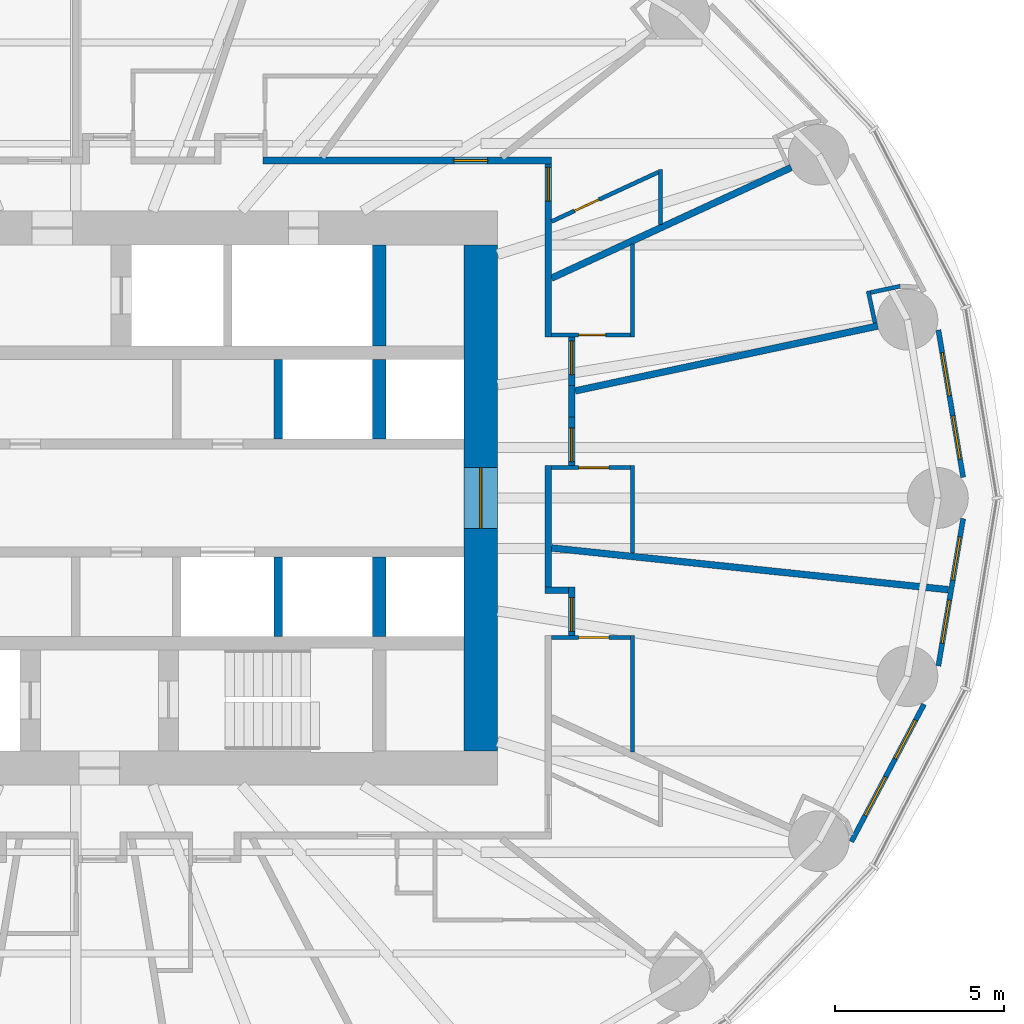
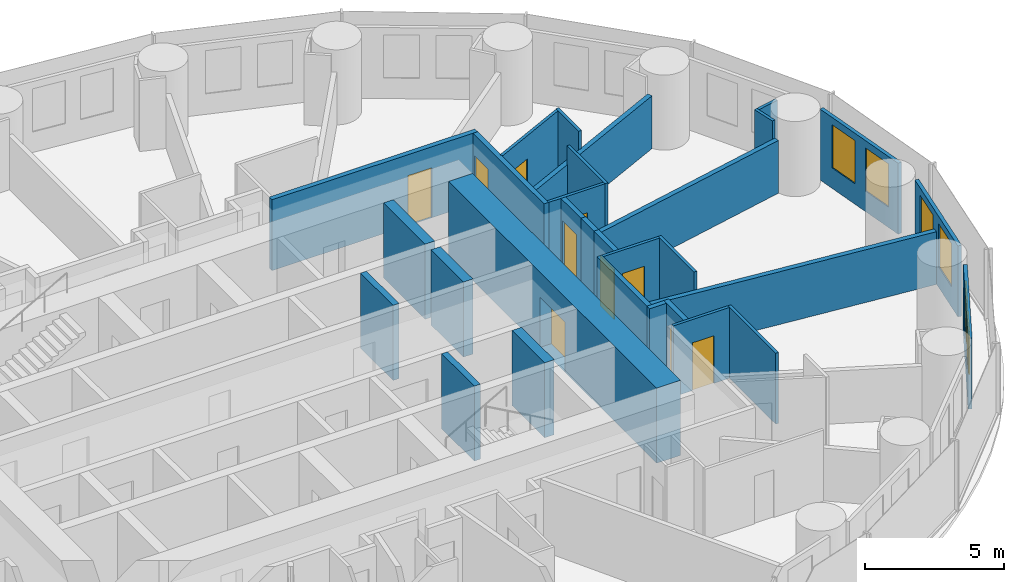
# One storey, part 10 of 14: 30 walls, 10 doors, 6 windows, 16 openings.
"""IFC4 building model written with IfcOpenShell, lengths in metres."""

import ifcopenshell
import ifcopenshell.guid

model = None  # the IFC model being written
_history = None  # IfcOwnerHistory: only IFC2X3 demands one
_inside = {}  # id of a spatial element -> (the spatial element, [elements in it])
_under = {}  # id of a project, library or spatial element -> (it, [spatial elements below it])
_declared = {}  # id of a project -> (the project, [libraries it declares])
_typed = {}  # id of a type object -> (the type object, [elements of that type])
_made_of = {}  # id of a material, layer set ... -> (it, [elements and type objects made of it])


def new_model(schema):
    """Start an empty IFC model of exactly this schema.

    Asked for "IFC4X3", IfcOpenShell would pick the latest addendum, in which some entities
    have other attributes; the version numbers below select the first issue.
    IFC2X3 requires an IfcOwnerHistory on every rooted entity: one is made here for all.
    """
    global model, _history
    if schema == "IFC4X3":
        model = ifcopenshell.file(schema_version=(4, 3, 0, 0))
    else:
        model = ifcopenshell.file(schema=schema)
    _inside.clear()
    _under.clear()
    _declared.clear()
    _typed.clear()
    _made_of.clear()
    _history = None
    if model.schema == "IFC2X3":
        org = make("IfcOrganization", Name="unknown")
        user = make(
            "IfcPersonAndOrganization",
            ThePerson=make("IfcPerson", FamilyName="unknown"),
            TheOrganization=org,
        )
        app = make(
            "IfcApplication",
            ApplicationDeveloper=org,
            Version="unknown",
            ApplicationFullName="unknown",
            ApplicationIdentifier="unknown",
        )
        _history = make(
            "IfcOwnerHistory",
            OwningUser=user,
            OwningApplication=app,
            ChangeAction="ADDED",
            CreationDate=0,
        )
    return model


def make(cls, **values):
    """One entity of the class cls with the attributes given. An attribute that is None is left unset."""
    return model.create_entity(
        cls, **{name: value for name, value in values.items() if value is not None}
    )


def rooted(cls, **values):
    """An entity with a GlobalId (a new one), such as an element, a storey or a relation."""
    return make(cls, GlobalId=ifcopenshell.guid.new(), OwnerHistory=_history, **values)


def si_unit(unit_type, name, prefix=None):
    """IfcSIUnit, for example si_unit("LENGTHUNIT", "METRE", prefix="MILLI")."""
    return make("IfcSIUnit", UnitType=unit_type, Prefix=prefix, Name=name)


def assignment(units):
    """IfcUnitAssignment: the units of a project."""
    return None if units is None else make("IfcUnitAssignment", Units=units)


def point(xyz):
    """IfcCartesianPoint."""
    return None if xyz is None else make("IfcCartesianPoint", Coordinates=xyz)


def direction(xyz):
    """IfcDirection."""
    return None if xyz is None else make("IfcDirection", DirectionRatios=xyz)


def frame(location, z_axis=None, x_axis=None):
    """IfcAxis2Placement3D, a coordinate frame: its origin and axes. An axis left out is left unset."""
    return make(
        "IfcAxis2Placement3D",
        Location=point(location),
        Axis=direction(z_axis),
        RefDirection=direction(x_axis),
    )


def frame_2d(location, x_axis=None):
    """IfcAxis2Placement2D, a coordinate frame in the plane: its origin and x axis."""
    return make(
        "IfcAxis2Placement2D", Location=point(location), RefDirection=direction(x_axis)
    )


def origin():
    """The frame at (0, 0, 0) with its axes left unset."""
    return frame((0.0, 0.0, 0.0))


def place(relative_to, where):
    """IfcLocalPlacement: puts the frame where relative to a parent placement (None: the world)."""
    return make(
        "IfcLocalPlacement", PlacementRelTo=relative_to, RelativePlacement=where
    )


def context(
    kind, dimensions, precision=None, world=None, true_north=None, identifier=None
):
    """IfcGeometricRepresentationContext, for example the 3D "Model" context."""
    return make(
        "IfcGeometricRepresentationContext",
        ContextIdentifier=identifier,
        ContextType=kind,
        CoordinateSpaceDimension=dimensions,
        Precision=precision,
        WorldCoordinateSystem=world,
        TrueNorth=true_north,
    )


def subcontext(parent, identifier, kind, view, scale=None):
    """IfcGeometricRepresentationSubContext, for example "Body" below "Model"."""
    return make(
        "IfcGeometricRepresentationSubContext",
        ContextIdentifier=identifier,
        ContextType=kind,
        ParentContext=parent,
        TargetScale=scale,
        TargetView=view,
    )


def project(units=None, contexts=None):
    """IfcProject with its units and contexts."""
    return rooted(
        "IfcProject",
        Name="project",
        RepresentationContexts=contexts,
        UnitsInContext=assignment(units),
    )


def spatial(cls, under=None, at=None, **own):
    """A site, building, storey or space (cls), placed at a placement, below another one or the project."""
    s = rooted(cls, ObjectPlacement=at, **own)
    if under is not None:
        _under.setdefault(under.id(), (under, []))[1].append(s)
    return s


def profile(cls, at=None, kind="AREA", **sizes):
    """A parametric profile (cls). Its sizes go by their IFC names, for example OverallWidth=200.0."""
    return make(cls, ProfileType=kind, Position=at, **sizes)


def rectangle(**sizes):
    """IfcRectangleProfileDef."""
    return profile("IfcRectangleProfileDef", **sizes)


def extrude(swept, where, along, depth):
    """IfcExtrudedAreaSolid: the profile swept, set in the frame where, extruded along a direction by depth."""
    return make(
        "IfcExtrudedAreaSolid",
        SweptArea=swept,
        Position=where,
        ExtrudedDirection=direction(along),
        Depth=depth,
    )


def shape(context_of_items, identifier, shape_type, items):
    """IfcShapeRepresentation: the items that make up one representation, for example the "Body"."""
    return make(
        "IfcShapeRepresentation",
        ContextOfItems=context_of_items,
        RepresentationIdentifier=identifier,
        RepresentationType=shape_type,
        Items=items,
    )


def material(Name=None, Category=None):
    """IfcMaterial."""
    return make("IfcMaterial", Name=Name, Category=Category)


def layer(
    of_material, thickness, ventilated=None, Name=None, Category=None, Priority=None
):
    """IfcMaterialLayer: one layer of a wall or slab, of a material (None: an air gap)."""
    return make(
        "IfcMaterialLayer",
        Material=of_material,
        LayerThickness=thickness,
        IsVentilated=ventilated,
        Name=Name,
        Category=Category,
        Priority=Priority,
    )


def layer_set(layers, Name=None):
    """IfcMaterialLayerSet."""
    return make("IfcMaterialLayerSet", MaterialLayers=layers, LayerSetName=Name)


def made_of(thing, what):
    """Note that an element or type object is made of a material, layer set ...; save() writes the relation."""
    if what is not None:
        _made_of.setdefault(what.id(), (what, []))[1].append(thing)
    return thing


def type_object(cls, material=None, **own):
    """A type object (cls), such as IfcWallType, which elements share."""
    return made_of(rooted(cls, **own), material)


def element(
    cls,
    number,
    at=None,
    inside=None,
    cuts=None,
    type_object=None,
    material=None,
    context=None,
    identifier="Body",
    shape_type=None,
    held_by="IfcProductDefinitionShape",
    body=None,
    shapes=None,
    **own,
):
    """One element of the class cls, such as IfcWall. Its Tag is "e" and its number.

    at: its placement. inside: the storey or other place that contains it. cuts: it is an
    opening in that element (IfcRelVoidsElement). A single representation is given by context,
    identifier, shape_type and body (its items); several are given by shapes. held_by: the class
    of the entity that holds the representations. save() writes the other relations.
    """
    e = rooted(cls, Tag="e%d" % number, ObjectPlacement=at, **own)
    if body is not None:
        shapes = [shape(context, identifier, shape_type, body)]
    if shapes is not None:
        e.Representation = make(held_by, Representations=shapes)
    if inside is not None:
        _inside.setdefault(inside.id(), (inside, []))[1].append(e)
    if cuts is not None:
        rooted(
            "IfcRelVoidsElement", RelatingBuildingElement=cuts, RelatedOpeningElement=e
        )
    if type_object is not None:
        _typed.setdefault(type_object.id(), (type_object, []))[1].append(e)
    return made_of(e, material)


def fill(opening, filler):
    """IfcRelFillsElement: the door or window that sits in an opening."""
    return rooted(
        "IfcRelFillsElement",
        RelatingOpeningElement=opening,
        RelatedBuildingElement=filler,
    )


def aggregate(whole, parts):
    """IfcRelAggregates: a whole, such as a stair, and the parts it consists of."""
    return rooted("IfcRelAggregates", RelatingObject=whole, RelatedObjects=parts)


def save(model, path):
    """Write the relations noted so far, then the file.

    IfcRelAggregates (storeys below a building ...), IfcRelContainedInSpatialStructure (elements
    in a storey), IfcRelDefinesByType, IfcRelAssociatesMaterial and IfcRelDeclares: one each for
    every whole, place, type object, material and project.
    """
    for whole, parts in _under.values():
        aggregate(whole, parts)
    for where, things in _inside.values():
        rooted(
            "IfcRelContainedInSpatialStructure",
            RelatedElements=things,
            RelatingStructure=where,
        )
    for kind, things in _typed.values():
        rooted("IfcRelDefinesByType", RelatedObjects=things, RelatingType=kind)
    for what, things in _made_of.values():
        rooted("IfcRelAssociatesMaterial", RelatedObjects=things, RelatingMaterial=what)
    for by, libraries in _declared.values():
        rooted("IfcRelDeclares", RelatingContext=by, RelatedDefinitions=libraries)
    model.write(path)


model = new_model("IFC4")

# Units and contexts
model_context = context("Model", 3, precision=1e-05, world=origin(), true_north=direction((0.0, 1.0)))
body_context = subcontext(model_context, "Body", "Model", "MODEL_VIEW")
ifc_project = project(units=[si_unit("LENGTHUNIT", "METRE"), si_unit("AREAUNIT", "SQUARE_METRE"), si_unit("VOLUMEUNIT", "CUBIC_METRE"), si_unit("PLANEANGLEUNIT", "RADIAN"), si_unit("MASSUNIT", "GRAM", prefix="KILO")], contexts=[model_context])

# Site, building, storey
site_placement = place(None, origin())
site = spatial("IfcSite", under=ifc_project, at=site_placement, CompositionType="ELEMENT")
building_placement = place(site_placement, origin())
building = spatial("IfcBuilding", under=site, at=building_placement, Name="Hankou Lantern Tower", CompositionType="ELEMENT")
storey_placement = place(building_placement, frame((0.0, 0.0, 32.699951171875)))
storey = spatial("IfcBuildingStorey", under=building, at=storey_placement, Name="L06", CompositionType="ELEMENT", Elevation=32.699951171875)

# Wall, opening, door
ifc_material_1 = material(Name="Concrete C60", Category="concrete")
ifc_layer_1 = layer(ifc_material_1, 1.0)
ifc_layer_set_1 = layer_set([ifc_layer_1], Name="Concrete C60")
wall_type_1 = type_object("IfcWallType", Name="CW1 CORE WALL 1000", PredefinedType="SHEAR", material=ifc_layer_set_1)
wall_1_placement = place(storey_placement, frame((12.0, -7.5, 0.0), z_axis=(0.0, 0.0, 1.0), x_axis=(0.0, 1.0, 0.0)))
wall_1 = element("IfcWall", 1, at=wall_1_placement, inside=storey, type_object=wall_type_1, Name="Core wall east L06", PredefinedType="SHEAR", context=body_context, shape_type="SweptSolid", body=[
    extrude(rectangle(XDim=15.0, YDim=1.0, at=frame_2d((7.5, 0.0))), origin(), (0.0, 0.0, 1.0), 3.300048828125),
])
opening_1_placement = place(wall_1_placement, frame((6.60009765625, 0.0, 0.0)))
opening_1 = element("IfcOpeningElement", 2, at=opening_1_placement, cuts=wall_1, Name="Opening D6", PredefinedType="OPENING", context=body_context, shape_type="SweptSolid", body=[
    extrude(rectangle(XDim=1.800048828125, YDim=2.199951171875, at=frame_2d((0.89990234375, 1.10009765625))), frame((0.0, 0.510009765625, 0.0), z_axis=(0.0, -1.0, 0.0), x_axis=(1.0, 0.0, 0.0)), (0.0, 0.0, 1.0), 1.02001953125),
])
ifc_material_2 = material(Name="Steel door leaf", Category="steel")
door_type_1 = type_object("IfcDoorType", Name="D6 LIFT LOBBY DOOR 1800X2200", OperationType="DOUBLE_DOOR_DOUBLE_SWING", PredefinedType="DOOR", material=ifc_material_2)
door_1_placement = place(opening_1_placement, origin())
door_1 = element("IfcDoor", 3, at=door_1_placement, inside=storey, type_object=door_type_1, Name="Lift lobby east door", OperationType="DOUBLE_DOOR_DOUBLE_SWING", OverallHeight=2.199951171875, OverallWidth=1.800048828125, PredefinedType="DOOR", context=body_context, shape_type="SweptSolid", body=[
    extrude(rectangle(XDim=1.800048828125, YDim=2.199951171875, at=frame_2d((0.89990234375, 1.10009765625))), frame((0.0, 0.02490234375, 0.0), z_axis=(0.0, -1.0, 0.0), x_axis=(1.0, 0.0, 0.0)), (0.0, 0.0, 1.0), 0.050048828125),
])
fill(opening_1, door_1)

# Walls
ifc_material_3 = material(Name="Concrete C60", Category="concrete")
ifc_layer_2 = layer(ifc_material_3, 0.39990234375)
ifc_layer_set_2 = layer_set([ifc_layer_2], Name="Concrete C60")
wall_type_2 = type_object("IfcWallType", Name="CW4 CORE CROSS WALL 400", PredefinedType="SHEAR", material=ifc_layer_set_2)
wall_2_placement = place(storey_placement, frame((9.0, 4.5, 0.0), z_axis=(0.0, 0.0, 1.0), x_axis=(0.0, 1.0, 0.0)))
element("IfcWall", 4, at=wall_2_placement, inside=storey, type_object=wall_type_2, Name="Core strip wall L06", PredefinedType="SHEAR", context=body_context, shape_type="SweptSolid", body=[
    extrude(rectangle(XDim=3.0, YDim=0.39990234375, at=frame_2d((1.5, 0.0))), origin(), (0.0, 0.0, 1.0), 3.300048828125),
])
for number, where, z_axis, x_axis, name in (
    (5, (9.0, 1.75, 0.0), (0.0, 0.0, 1.0), (0.0, 1.0, 0.0), "Core strip wall L06"),
    (6, (9.0, -4.10009765625, 0.0), (0.0, 0.0, 1.0), (0.0, 1.0, 0.0), "Core strip wall L06"),
):
    element("IfcWall", number, at=place(storey_placement, frame(where, z_axis=z_axis, x_axis=x_axis)), inside=storey, type_object=wall_type_2, Name=name, PredefinedType="SHEAR", context=body_context, shape_type="SweptSolid", body=[
        extrude(rectangle(XDim=2.35009765625, YDim=0.39990234375, at=frame_2d((1.175048828125, 0.0))), origin(), (0.0, 0.0, 1.0), 3.300048828125),
    ])

# Wall, openings, windows
ifc_material_4 = material(Name="Aluminium spandrel panel on steel studs", Category="steel")
ifc_layer_3 = layer(ifc_material_4, 0.14990234375)
ifc_layer_set_3 = layer_set([ifc_layer_3], Name="Aluminium spandrel panel on steel studs")
wall_type_3 = type_object("IfcWallType", Name="EW1 INNER SKIN WALL 150", PredefinedType="ELEMENTEDWALL", material=ifc_layer_set_3)
wall_3_placement = place(storey_placement, frame((26.29736328125, 0.611083984375, 0.0), z_axis=(0.0, 0.0, 1.0), x_axis=(-0.165641751141, 0.986185991727, 0.0)))
wall_3 = element("IfcWall", 7, at=wall_3_placement, inside=storey, type_object=wall_type_3, Name="Inner skin R01-R02 L06", PredefinedType="ELEMENTEDWALL", context=body_context, shape_type="SweptSolid", body=[
    extrude(rectangle(XDim=4.427734375, YDim=0.14990234375, at=frame_2d((2.2138671875, 0.0))), origin(), (0.0, 0.0, 1.0), 3.1201171875),
])
opening_2_placement = place(wall_3_placement, frame((0.5498046875, 0.0, 0.89990234375)))
opening_2 = element("IfcOpeningElement", 8, at=opening_2_placement, cuts=wall_3, Name="Opening W9", PredefinedType="OPENING", context=body_context, shape_type="SweptSolid", body=[
    extrude(rectangle(XDim=1.300048828125, YDim=1.89990234375, at=frame_2d((0.64990234375, 0.949951171875))), frame((0.0, 0.0849609375, 0.0), z_axis=(0.0, -1.0, 0.0), x_axis=(1.0, 0.0, 0.0)), (0.0, 0.0, 1.0), 0.169921875),
])
opening_3_placement = place(wall_3_placement, frame((2.44970703125, 0.0, 0.89990234375)))
opening_3 = element("IfcOpeningElement", 9, at=opening_3_placement, cuts=wall_3, Name="Opening W9", PredefinedType="OPENING", context=body_context, shape_type="SweptSolid", body=[
    extrude(rectangle(XDim=1.300048828125, YDim=1.89990234375, at=frame_2d((0.64990234375, 0.949951171875))), frame((0.0, 0.0849609375, 0.0), z_axis=(0.0, -1.0, 0.0), x_axis=(1.0, 0.0, 0.0)), (0.0, 0.0, 1.0), 0.169921875),
])
ifc_material_5 = material(Name="Aluminium framed double glazed window", Category="aluminium")
window_type = type_object("IfcWindowType", Name="W9 GUEST ROOM WINDOW 1300X1900", PartitioningType="DOUBLE_PANEL_VERTICAL", PredefinedType="WINDOW", material=ifc_material_5)
window_1_placement = place(opening_2_placement, origin())
window_1 = element("IfcWindow", 10, at=window_1_placement, inside=storey, type_object=window_type, Name="Window R01.1 L06", OverallHeight=1.89990234375, OverallWidth=1.300048828125, PartitioningType="SINGLE_PANEL", PredefinedType="WINDOW", context=body_context, shape_type="SweptSolid", body=[
    extrude(rectangle(XDim=1.300048828125, YDim=1.89990234375, at=frame_2d((0.64990234375, 0.949951171875))), frame((0.0, 0.030029296875, 0.0), z_axis=(0.0, -1.0, 0.0), x_axis=(1.0, 0.0, 0.0)), (0.0, 0.0, 1.0), 0.06005859375),
])
fill(opening_2, window_1)
window_2_placement = place(opening_3_placement, origin())
window_2 = element("IfcWindow", 11, at=window_2_placement, inside=storey, type_object=window_type, Name="Window R01.2 L06", OverallHeight=1.89990234375, OverallWidth=1.300048828125, PartitioningType="SINGLE_PANEL", PredefinedType="WINDOW", context=body_context, shape_type="SweptSolid", body=[
    extrude(rectangle(XDim=1.300048828125, YDim=1.89990234375, at=frame_2d((0.64990234375, 0.949951171875))), frame((0.0, 0.030029296875, 0.0), z_axis=(0.0, -1.0, 0.0), x_axis=(1.0, 0.0, 0.0)), (0.0, 0.0, 1.0), 0.06005859375),
])
fill(opening_3, window_2)

wall_4_placement = place(storey_placement, frame((22.986083984375, -10.185302734375, 0.0), z_axis=(0.0, 0.0, 1.0), x_axis=(0.467303182954, 0.884097129959, 0.0)))
wall_4 = element("IfcWall", 12, at=wall_4_placement, inside=storey, type_object=wall_type_3, Name="Inner skin R23-R24 L06", PredefinedType="ELEMENTEDWALL", context=body_context, shape_type="SweptSolid", body=[
    extrude(rectangle(XDim=4.6064453125, YDim=0.14990234375, at=frame_2d((2.30322265625, 0.0))), origin(), (0.0, 0.0, 1.0), 3.1201171875),
])
opening_4_placement = place(wall_4_placement, frame((0.874755859375, 0.0, 0.89990234375)))
opening_4 = element("IfcOpeningElement", 13, at=opening_4_placement, cuts=wall_4, Name="Opening W9", PredefinedType="OPENING", context=body_context, shape_type="SweptSolid", body=[
    extrude(rectangle(XDim=1.300048828125, YDim=1.89990234375, at=frame_2d((0.64990234375, 0.949951171875))), frame((0.0, 0.0849609375, 0.0), z_axis=(0.0, -1.0, 0.0), x_axis=(1.0, 0.0, 0.0)), (0.0, 0.0, 1.0), 0.169921875),
])
opening_5_placement = place(wall_4_placement, frame((2.77490234375, 0.0, 0.89990234375)))
opening_5 = element("IfcOpeningElement", 14, at=opening_5_placement, cuts=wall_4, Name="Opening W9", PredefinedType="OPENING", context=body_context, shape_type="SweptSolid", body=[
    extrude(rectangle(XDim=1.300048828125, YDim=1.89990234375, at=frame_2d((0.64990234375, 0.949951171875))), frame((0.0, 0.0849609375, 0.0), z_axis=(0.0, -1.0, 0.0), x_axis=(1.0, 0.0, 0.0)), (0.0, 0.0, 1.0), 0.169921875),
])
window_3_placement = place(opening_4_placement, origin())
window_3 = element("IfcWindow", 15, at=window_3_placement, inside=storey, type_object=window_type, Name="Window R23.1 L06", OverallHeight=1.89990234375, OverallWidth=1.300048828125, PartitioningType="SINGLE_PANEL", PredefinedType="WINDOW", context=body_context, shape_type="SweptSolid", body=[
    extrude(rectangle(XDim=1.300048828125, YDim=1.89990234375, at=frame_2d((0.64990234375, 0.949951171875))), frame((0.0, 0.030029296875, 0.0), z_axis=(0.0, -1.0, 0.0), x_axis=(1.0, 0.0, 0.0)), (0.0, 0.0, 1.0), 0.06005859375),
])
fill(opening_4, window_3)
window_4_placement = place(opening_5_placement, origin())
window_4 = element("IfcWindow", 16, at=window_4_placement, inside=storey, type_object=window_type, Name="Window R23.2 L06", OverallHeight=1.89990234375, OverallWidth=1.300048828125, PartitioningType="SINGLE_PANEL", PredefinedType="WINDOW", context=body_context, shape_type="SweptSolid", body=[
    extrude(rectangle(XDim=1.300048828125, YDim=1.89990234375, at=frame_2d((0.64990234375, 0.949951171875))), frame((0.0, 0.030029296875, 0.0), z_axis=(0.0, -1.0, 0.0), x_axis=(1.0, 0.0, 0.0)), (0.0, 0.0, 1.0), 0.06005859375),
])
fill(opening_5, window_4)

wall_5_placement = place(storey_placement, frame((25.56396484375, -4.9775390625, 0.0), z_axis=(0.0, 0.0, 1.0), x_axis=(0.165641751141, 0.986185991727, 0.0)))
wall_5 = element("IfcWall", 17, at=wall_5_placement, inside=storey, type_object=wall_type_3, Name="Inner skin R24-R01 L06", PredefinedType="ELEMENTEDWALL", context=body_context, shape_type="SweptSolid", body=[
    extrude(rectangle(XDim=4.427734375, YDim=0.14990234375, at=frame_2d((2.2138671875, 0.0))), origin(), (0.0, 0.0, 1.0), 3.1201171875),
])
opening_6_placement = place(wall_5_placement, frame((0.677734375, 0.0, 0.89990234375)))
opening_6 = element("IfcOpeningElement", 18, at=opening_6_placement, cuts=wall_5, Name="Opening W9", PredefinedType="OPENING", context=body_context, shape_type="SweptSolid", body=[
    extrude(rectangle(XDim=1.300048828125, YDim=1.89990234375, at=frame_2d((0.64990234375, 0.949951171875))), frame((0.0, 0.0849609375, 0.0), z_axis=(0.0, -1.0, 0.0), x_axis=(1.0, 0.0, 0.0)), (0.0, 0.0, 1.0), 0.169921875),
])
opening_7_placement = place(wall_5_placement, frame((2.57763671875, 0.0, 0.89990234375)))
opening_7 = element("IfcOpeningElement", 19, at=opening_7_placement, cuts=wall_5, Name="Opening W9", PredefinedType="OPENING", context=body_context, shape_type="SweptSolid", body=[
    extrude(rectangle(XDim=1.300048828125, YDim=1.89990234375, at=frame_2d((0.64990234375, 0.949951171875))), frame((0.0, 0.0849609375, 0.0), z_axis=(0.0, -1.0, 0.0), x_axis=(1.0, 0.0, 0.0)), (0.0, 0.0, 1.0), 0.169921875),
])
window_5_placement = place(opening_6_placement, origin())
window_5 = element("IfcWindow", 20, at=window_5_placement, inside=storey, type_object=window_type, Name="Window R24.1 L06", OverallHeight=1.89990234375, OverallWidth=1.300048828125, PartitioningType="SINGLE_PANEL", PredefinedType="WINDOW", context=body_context, shape_type="SweptSolid", body=[
    extrude(rectangle(XDim=1.300048828125, YDim=1.89990234375, at=frame_2d((0.64990234375, 0.949951171875))), frame((0.0, 0.030029296875, 0.0), z_axis=(0.0, -1.0, 0.0), x_axis=(1.0, 0.0, 0.0)), (0.0, 0.0, 1.0), 0.06005859375),
])
fill(opening_6, window_5)
window_6_placement = place(opening_7_placement, origin())
window_6 = element("IfcWindow", 21, at=window_6_placement, inside=storey, type_object=window_type, Name="Window R24.2 L06", OverallHeight=1.89990234375, OverallWidth=1.300048828125, PartitioningType="SINGLE_PANEL", PredefinedType="WINDOW", context=body_context, shape_type="SweptSolid", body=[
    extrude(rectangle(XDim=1.300048828125, YDim=1.89990234375, at=frame_2d((0.64990234375, 0.949951171875))), frame((0.0, 0.030029296875, 0.0), z_axis=(0.0, -1.0, 0.0), x_axis=(1.0, 0.0, 0.0)), (0.0, 0.0, 1.0), 0.06005859375),
])
fill(opening_7, window_6)

# Walls
ifc_material_6 = material(Name="Masonry lightweight concrete block", Category="masonry")
ifc_layer_4 = layer(ifc_material_6, 0.199951171875)
ifc_layer_set_4 = layer_set([ifc_layer_4], Name="Masonry lightweight concrete block")
wall_type_4 = type_object("IfcWallType", Name="IW1 GUEST ROOM PARTY WALL 200", PredefinedType="PARTITIONING", material=ifc_layer_set_4)
wall_6_placement = place(storey_placement, frame((14.800048828125, 3.172607421875, 0.0), z_axis=(0.0, 0.0, 1.0), x_axis=(0.977788776497, 0.209592720667, 0.0)))
element("IfcWall", 22, at=wall_6_placement, inside=storey, type_object=wall_type_4, Name="Party wall R02", PredefinedType="PARTITIONING", context=body_context, shape_type="SweptSolid", body=[
    extrude(rectangle(XDim=9.170654296875, YDim=0.199951171875, at=frame_2d((4.58544921875, 0.0))), origin(), (0.0, 0.0, 1.0), 2.320068359375),
])
wall_7_placement = place(storey_placement, frame((14.10009765625, 6.512451171875, 0.0), z_axis=(0.0, 0.0, 1.0), x_axis=(0.907842433118, 0.41931147925, 0.0)))
element("IfcWall", 23, at=wall_7_placement, inside=storey, type_object=wall_type_4, Name="Party wall R03", PredefinedType="PARTITIONING", context=body_context, shape_type="SweptSolid", body=[
    extrude(rectangle(XDim=7.822998046875, YDim=0.199951171875, at=frame_2d((3.91162109375, 0.0))), origin(), (0.0, 0.0, 1.0), 2.320068359375),
])
wall_8_placement = place(storey_placement, frame((14.10009765625, -1.48193359375, 0.0), z_axis=(0.0, 0.0, 1.0), x_axis=(0.994522076235, -0.104526742422, 0.0)))
element("IfcWall", 24, at=wall_8_placement, inside=storey, type_object=wall_type_4, Name="Party wall R24-R01", PredefinedType="PARTITIONING", context=body_context, shape_type="SweptSolid", body=[
    extrude(rectangle(XDim=11.82080078125, YDim=0.199951171875, at=frame_2d((5.910400390625, 0.0))), origin(), (0.0, 0.0, 1.0), 2.320068359375),
])

# Wall, opening, door
ifc_material_7 = material(Name="Masonry lightweight concrete block", Category="masonry")
ifc_layer_5 = layer(ifc_material_7, 0.199951171875)
ifc_layer_set_5 = layer_set([ifc_layer_5], Name="Masonry lightweight concrete block")
wall_type_5 = type_object("IfcWallType", Name="IW2 CORRIDOR WALL 200", PredefinedType="PARTITIONING", material=ifc_layer_set_5)
wall_9_placement = place(storey_placement, frame((14.699951171875, -4.072509765625, 0.0), z_axis=(0.0, 0.0, 1.0), x_axis=(0.0, 1.0, 0.0)))
wall_9 = element("IfcWall", 25, at=wall_9_placement, inside=storey, type_object=wall_type_5, Name="Corridor recess wall 0602 back", PredefinedType="PARTITIONING", context=body_context, shape_type="SweptSolid", body=[
    extrude(rectangle(XDim=1.43994140625, YDim=0.199951171875, at=frame_2d((0.719970703125, 0.0))), origin(), (0.0, 0.0, 1.0), 3.1201171875),
])
opening_8_placement = place(wall_9_placement, frame((0.1201171875, 0.0, 0.0)))
opening_8 = element("IfcOpeningElement", 26, at=opening_8_placement, cuts=wall_9, Name="Opening D1", PredefinedType="OPENING", context=body_context, shape_type="SweptSolid", body=[
    extrude(rectangle(XDim=1.0, YDim=2.199951171875, at=frame_2d((0.5, 1.10009765625))), frame((0.0, 0.10986328125, 0.0), z_axis=(0.0, -1.0, 0.0), x_axis=(1.0, 0.0, 0.0)), (0.0, 0.0, 1.0), 0.219970703125),
])
ifc_material_8 = material(Name="Steel door leaf", Category="steel")
door_type_2 = type_object("IfcDoorType", Name="D1 GUEST ROOM DOOR 1000X2200", OperationType="SINGLE_SWING_LEFT", PredefinedType="DOOR", material=ifc_material_8)
door_2_placement = place(opening_8_placement, origin())
door_2 = element("IfcDoor", 27, at=door_2_placement, inside=storey, type_object=door_type_2, Name="Guest room door 0602", OperationType="SINGLE_SWING_LEFT", OverallHeight=2.199951171875, OverallWidth=1.0, PredefinedType="DOOR", context=body_context, shape_type="SweptSolid", body=[
    extrude(rectangle(XDim=1.0, YDim=2.199951171875, at=frame_2d((0.5, 1.10009765625))), frame((0.0, 0.02490234375, 0.0), z_axis=(0.0, -1.0, 0.0), x_axis=(1.0, 0.0, 0.0)), (0.0, 0.0, 1.0), 0.050048828125),
])
fill(opening_8, door_2)

# Wall
wall_10_placement = place(storey_placement, frame((13.89990234375, -2.732421875, 0.0), z_axis=(0.0, 0.0, 1.0), x_axis=(1.0, 0.0, 0.0)))
element("IfcWall", 28, at=wall_10_placement, inside=storey, type_object=wall_type_5, Name="Corridor recess wall 0602 side", PredefinedType="PARTITIONING", context=body_context, shape_type="SweptSolid", body=[
    extrude(rectangle(XDim=0.7001953125, YDim=0.199951171875, at=frame_2d((0.35009765625, 0.0))), origin(), (0.0, 0.0, 1.0), 3.1201171875),
])

# Wall, opening, door
wall_11_placement = place(storey_placement, frame((14.699951171875, 0.9580078125, 0.0), z_axis=(0.0, 0.0, 1.0), x_axis=(0.0, 1.0, 0.0)))
wall_11 = element("IfcWall", 29, at=wall_11_placement, inside=storey, type_object=wall_type_5, Name="Corridor recess wall 0603 back", PredefinedType="PARTITIONING", context=body_context, shape_type="SweptSolid", body=[
    extrude(rectangle(XDim=1.43994140625, YDim=0.199951171875, at=frame_2d((0.719970703125, 0.0))), origin(), (0.0, 0.0, 1.0), 3.1201171875),
])
opening_9_placement = place(wall_11_placement, frame((0.1201171875, 0.0, 0.0)))
opening_9 = element("IfcOpeningElement", 30, at=opening_9_placement, cuts=wall_11, Name="Opening D1", PredefinedType="OPENING", context=body_context, shape_type="SweptSolid", body=[
    extrude(rectangle(XDim=1.0, YDim=2.199951171875, at=frame_2d((0.5, 1.10009765625))), frame((0.0, 0.10986328125, 0.0), z_axis=(0.0, -1.0, 0.0), x_axis=(1.0, 0.0, 0.0)), (0.0, 0.0, 1.0), 0.219970703125),
])
door_3_placement = place(opening_9_placement, origin())
door_3 = element("IfcDoor", 31, at=door_3_placement, inside=storey, type_object=door_type_2, Name="Guest room door 0603", OperationType="SINGLE_SWING_LEFT", OverallHeight=2.199951171875, OverallWidth=1.0, PredefinedType="DOOR", context=body_context, shape_type="SweptSolid", body=[
    extrude(rectangle(XDim=1.0, YDim=2.199951171875, at=frame_2d((0.5, 1.10009765625))), frame((0.0, 0.02490234375, 0.0), z_axis=(0.0, -1.0, 0.0), x_axis=(1.0, 0.0, 0.0)), (0.0, 0.0, 1.0), 0.050048828125),
])
fill(opening_9, door_3)

wall_12_placement = place(storey_placement, frame((14.699951171875, 3.33251953125, 0.0), z_axis=(0.0, 0.0, 1.0), x_axis=(0.0, 1.0, 0.0)))
wall_12 = element("IfcWall", 32, at=wall_12_placement, inside=storey, type_object=wall_type_5, Name="Corridor recess wall 0604 back", PredefinedType="PARTITIONING", context=body_context, shape_type="SweptSolid", body=[
    extrude(rectangle(XDim=1.43994140625, YDim=0.199951171875, at=frame_2d((0.719970703125, 0.0))), origin(), (0.0, 0.0, 1.0), 3.1201171875),
])
opening_10_placement = place(wall_12_placement, frame((0.320068359375, 0.0, 0.0)))
opening_10 = element("IfcOpeningElement", 33, at=opening_10_placement, cuts=wall_12, Name="Opening D1", PredefinedType="OPENING", context=body_context, shape_type="SweptSolid", body=[
    extrude(rectangle(XDim=1.0, YDim=2.199951171875, at=frame_2d((0.5, 1.10009765625))), frame((0.0, 0.10986328125, 0.0), z_axis=(0.0, -1.0, 0.0), x_axis=(1.0, 0.0, 0.0)), (0.0, 0.0, 1.0), 0.219970703125),
])
door_4_placement = place(opening_10_placement, origin())
door_4 = element("IfcDoor", 34, at=door_4_placement, inside=storey, type_object=door_type_2, Name="Guest room door 0604", OperationType="SINGLE_SWING_RIGHT", OverallHeight=2.199951171875, OverallWidth=1.0, PredefinedType="DOOR", context=body_context, shape_type="SweptSolid", body=[
    extrude(rectangle(XDim=1.0, YDim=2.199951171875, at=frame_2d((0.5, 1.10009765625))), frame((0.0, 0.02490234375, 0.0), z_axis=(0.0, -1.0, 0.0), x_axis=(1.0, 0.0, 0.0)), (0.0, 0.0, 1.0), 0.050048828125),
])
fill(opening_10, door_4)

# Walls
wall_13_placement = place(storey_placement, frame((14.699951171875, 2.39794921875, 0.0), z_axis=(0.0, 0.0, 1.0), x_axis=(0.0, 1.0, 0.0)))
element("IfcWall", 35, at=wall_13_placement, inside=storey, type_object=wall_type_5, Name="Corridor recess wall 0603 and 0604 back", PredefinedType="PARTITIONING", context=body_context, shape_type="SweptSolid", body=[
    extrude(rectangle(XDim=0.9345703125, YDim=0.199951171875, at=frame_2d((0.46728515625, 0.0))), origin(), (0.0, 0.0, 1.0), 3.1201171875),
])
wall_14_placement = place(storey_placement, frame((14.0, -2.632568359375, 0.0), z_axis=(0.0, 0.0, 1.0), x_axis=(0.0, 1.0, 0.0)))
element("IfcWall", 36, at=wall_14_placement, inside=storey, type_object=wall_type_5, Name="Corridor wall east", PredefinedType="PARTITIONING", context=body_context, shape_type="SweptSolid", body=[
    extrude(rectangle(XDim=3.590576171875, YDim=0.199951171875, at=frame_2d((1.79541015625, 0.0))), origin(), (0.0, 0.0, 1.0), 3.1201171875),
])

# Wall, opening, door
wall_15_placement = place(storey_placement, frame((14.0, 4.7724609375, 0.0), z_axis=(0.0, 0.0, 1.0), x_axis=(0.0, 1.0, 0.0)))
wall_15 = element("IfcWall", 37, at=wall_15_placement, inside=storey, type_object=wall_type_5, Name="Corridor wall east", PredefinedType="PARTITIONING", context=body_context, shape_type="SweptSolid", body=[
    extrude(rectangle(XDim=5.12744140625, YDim=0.199951171875, at=frame_2d((2.563720703125, 0.0))), origin(), (0.0, 0.0, 1.0), 3.1201171875),
])
opening_11_placement = place(wall_15_placement, frame((4.02490234375, 0.0, 0.0)))
opening_11 = element("IfcOpeningElement", 38, at=opening_11_placement, cuts=wall_15, Name="Opening D1", PredefinedType="OPENING", context=body_context, shape_type="SweptSolid", body=[
    extrude(rectangle(XDim=1.0, YDim=2.199951171875, at=frame_2d((0.5, 1.10009765625))), frame((0.0, 0.10986328125, 0.0), z_axis=(0.0, -1.0, 0.0), x_axis=(1.0, 0.0, 0.0)), (0.0, 0.0, 1.0), 0.219970703125),
])
door_5_placement = place(opening_11_placement, origin())
door_5 = element("IfcDoor", 39, at=door_5_placement, inside=storey, type_object=door_type_2, Name="Guest room door 0605", OperationType="SINGLE_SWING_RIGHT", OverallHeight=2.199951171875, OverallWidth=1.0, PredefinedType="DOOR", context=body_context, shape_type="SweptSolid", body=[
    extrude(rectangle(XDim=1.0, YDim=2.199951171875, at=frame_2d((0.5, 1.10009765625))), frame((0.0, 0.02490234375, 0.0), z_axis=(0.0, -1.0, 0.0), x_axis=(1.0, 0.0, 0.0)), (0.0, 0.0, 1.0), 0.050048828125),
])
fill(opening_11, door_5)

wall_16_placement = place(storey_placement, frame((5.549072265625, 10.0, 0.0), z_axis=(0.0, 0.0, 1.0), x_axis=(1.0, 0.0, 0.0)))
wall_16 = element("IfcWall", 40, at=wall_16_placement, inside=storey, type_object=wall_type_5, Name="Corridor wall north", PredefinedType="PARTITIONING", context=body_context, shape_type="SweptSolid", body=[
    extrude(rectangle(XDim=8.551025390625, YDim=0.199951171875, at=frame_2d((4.275390625, 0.0))), origin(), (0.0, 0.0, 1.0), 3.1201171875),
])
opening_12_placement = place(wall_16_placement, frame((5.656005859375, 0.0, 0.0)))
opening_12 = element("IfcOpeningElement", 41, at=opening_12_placement, cuts=wall_16, Name="Opening D28", PredefinedType="OPENING", context=body_context, shape_type="SweptSolid", body=[
    extrude(rectangle(XDim=1.0, YDim=2.199951171875, at=frame_2d((0.5, 1.10009765625))), frame((0.0, 0.10986328125, 0.0), z_axis=(0.0, -1.0, 0.0), x_axis=(1.0, 0.0, 0.0)), (0.0, 0.0, 1.0), 0.219970703125),
])
ifc_material_9 = material(Name="Steel door leaf", Category="steel")
door_type_3 = type_object("IfcDoorType", Name="D28 SERVICE DOOR 1000X2200", OperationType="SINGLE_SWING_LEFT", PredefinedType="DOOR", material=ifc_material_9)
door_6_placement = place(opening_12_placement, origin())
door_6 = element("IfcDoor", 42, at=door_6_placement, inside=storey, type_object=door_type_3, Name="Service door 0606", OperationType="SINGLE_SWING_LEFT", OverallHeight=2.199951171875, OverallWidth=1.0, PredefinedType="DOOR", context=body_context, shape_type="SweptSolid", body=[
    extrude(rectangle(XDim=1.0, YDim=2.199951171875, at=frame_2d((0.5, 1.10009765625))), frame((0.0, 0.02490234375, 0.0), z_axis=(0.0, -1.0, 0.0), x_axis=(1.0, 0.0, 0.0)), (0.0, 0.0, 1.0), 0.050048828125),
])
fill(opening_12, door_6)

# Wall
ifc_material_10 = material(Name="Masonry lightweight concrete block", Category="masonry")
ifc_layer_6 = layer(ifc_material_10, 0.1201171875)
ifc_layer_set_6 = layer_set([ifc_layer_6], Name="Masonry lightweight concrete block")
wall_type_6 = type_object("IfcWallType", Name="IW3 BATHROOM WALL 120", PredefinedType="PARTITIONING", material=ifc_layer_set_6)
wall_17_placement = place(storey_placement, frame((16.5, -7.52099609375, 0.0), z_axis=(0.0, 0.0, 1.0), x_axis=(0.0, 1.0, 0.0)))
element("IfcWall", 43, at=wall_17_placement, inside=storey, type_object=wall_type_6, Name="Box wall 0602 1", PredefinedType="PARTITIONING", context=body_context, shape_type="SweptSolid", body=[
    extrude(rectangle(XDim=3.448486328125, YDim=0.1201171875, at=frame_2d((1.72412109375, 0.0))), origin(), (0.0, 0.0, 1.0), 3.1201171875),
])

# Wall, opening, door
wall_18_placement = place(storey_placement, frame((14.10009765625, -4.132568359375, 0.0), z_axis=(0.0, 0.0, 1.0), x_axis=(1.0, 0.0, 0.0)))
wall_18 = element("IfcWall", 44, at=wall_18_placement, inside=storey, type_object=wall_type_6, Name="Box wall 0602 1", PredefinedType="PARTITIONING", context=body_context, shape_type="SweptSolid", body=[
    extrude(rectangle(XDim=2.33984375, YDim=0.1201171875, at=frame_2d((1.169921875, 0.0))), origin(), (0.0, 0.0, 1.0), 3.1201171875),
])
opening_13_placement = place(wall_18_placement, frame((0.800048828125, 0.0, 0.0)))
opening_13 = element("IfcOpeningElement", 45, at=opening_13_placement, cuts=wall_18, Name="Opening D26", PredefinedType="OPENING", context=body_context, shape_type="SweptSolid", body=[
    extrude(rectangle(XDim=0.89990234375, YDim=2.10009765625, at=frame_2d((0.449951171875, 1.050048828125))), frame((0.0, 0.070068359375, 0.0), z_axis=(0.0, -1.0, 0.0), x_axis=(1.0, 0.0, 0.0)), (0.0, 0.0, 1.0), 0.14013671875),
])
ifc_material_11 = material(Name="Timber door leaf", Category="wood")
door_type_4 = type_object("IfcDoorType", Name="D26 ACCESSIBLE BATHROOM DOOR 900X2100", OperationType="SLIDING_TO_LEFT", PredefinedType="DOOR", material=ifc_material_11)
door_7_placement = place(opening_13_placement, origin())
door_7 = element("IfcDoor", 46, at=door_7_placement, inside=storey, type_object=door_type_4, Name="Accessible bathroom 0602 door", OperationType="SLIDING_TO_LEFT", OverallHeight=2.10009765625, OverallWidth=0.89990234375, PredefinedType="DOOR", context=body_context, shape_type="SweptSolid", body=[
    extrude(rectangle(XDim=0.89990234375, YDim=2.10009765625, at=frame_2d((0.449951171875, 1.050048828125))), frame((0.0, 0.02490234375, 0.0), z_axis=(0.0, -1.0, 0.0), x_axis=(1.0, 0.0, 0.0)), (0.0, 0.0, 1.0), 0.050048828125),
])
fill(opening_13, door_7)

# Wall
wall_19_placement = place(storey_placement, frame((16.5, -1.63427734375, 0.0), z_axis=(0.0, 0.0, 1.0), x_axis=(0.0, 1.0, 0.0)))
element("IfcWall", 47, at=wall_19_placement, inside=storey, type_object=wall_type_6, Name="Box wall 0603 1", PredefinedType="PARTITIONING", context=body_context, shape_type="SweptSolid", body=[
    extrude(rectangle(XDim=2.59228515625, YDim=0.1201171875, at=frame_2d((1.296142578125, 0.0))), origin(), (0.0, 0.0, 1.0), 3.1201171875),
])

# Wall, opening, door
wall_20_placement = place(storey_placement, frame((14.10009765625, 0.89794921875, 0.0), z_axis=(0.0, 0.0, 1.0), x_axis=(1.0, 0.0, 0.0)))
wall_20 = element("IfcWall", 48, at=wall_20_placement, inside=storey, type_object=wall_type_6, Name="Box wall 0603 1", PredefinedType="PARTITIONING", context=body_context, shape_type="SweptSolid", body=[
    extrude(rectangle(XDim=2.33984375, YDim=0.1201171875, at=frame_2d((1.169921875, 0.0))), origin(), (0.0, 0.0, 1.0), 3.1201171875),
])
opening_14_placement = place(wall_20_placement, frame((0.800048828125, 0.0, 0.0)))
opening_14 = element("IfcOpeningElement", 49, at=opening_14_placement, cuts=wall_20, Name="Opening D26", PredefinedType="OPENING", context=body_context, shape_type="SweptSolid", body=[
    extrude(rectangle(XDim=0.89990234375, YDim=2.10009765625, at=frame_2d((0.449951171875, 1.050048828125))), frame((0.0, 0.070068359375, 0.0), z_axis=(0.0, -1.0, 0.0), x_axis=(1.0, 0.0, 0.0)), (0.0, 0.0, 1.0), 0.14013671875),
])
door_8_placement = place(opening_14_placement, origin())
door_8 = element("IfcDoor", 50, at=door_8_placement, inside=storey, type_object=door_type_4, Name="Accessible bathroom 0603 door", OperationType="SLIDING_TO_LEFT", OverallHeight=2.10009765625, OverallWidth=0.89990234375, PredefinedType="DOOR", context=body_context, shape_type="SweptSolid", body=[
    extrude(rectangle(XDim=0.89990234375, YDim=2.10009765625, at=frame_2d((0.449951171875, 1.050048828125))), frame((0.0, 0.02490234375, 0.0), z_axis=(0.0, -1.0, 0.0), x_axis=(1.0, 0.0, 0.0)), (0.0, 0.0, 1.0), 0.050048828125),
])
fill(opening_14, door_8)

# Wall
wall_21_placement = place(storey_placement, frame((16.5, 7.52099609375, 0.0), z_axis=(0.0, 0.0, 1.0), x_axis=(0.0, -1.0, 0.0)))
element("IfcWall", 51, at=wall_21_placement, inside=storey, type_object=wall_type_6, Name="Box wall 0604 1", PredefinedType="PARTITIONING", context=body_context, shape_type="SweptSolid", body=[
    extrude(rectangle(XDim=2.74853515625, YDim=0.1201171875, at=frame_2d((1.374267578125, 0.0))), origin(), (0.0, 0.0, 1.0), 3.1201171875),
])

# Wall, opening, door
wall_22_placement = place(storey_placement, frame((14.10009765625, 4.83251953125, 0.0), z_axis=(0.0, 0.0, 1.0), x_axis=(1.0, 0.0, 0.0)))
wall_22 = element("IfcWall", 52, at=wall_22_placement, inside=storey, type_object=wall_type_6, Name="Box wall 0604 1", PredefinedType="PARTITIONING", context=body_context, shape_type="SweptSolid", body=[
    extrude(rectangle(XDim=2.33984375, YDim=0.1201171875, at=frame_2d((1.169921875, 0.0))), origin(), (0.0, 0.0, 1.0), 3.1201171875),
])
opening_15_placement = place(wall_22_placement, frame((0.800048828125, 0.0, 0.0)))
opening_15 = element("IfcOpeningElement", 53, at=opening_15_placement, cuts=wall_22, Name="Opening D3", PredefinedType="OPENING", context=body_context, shape_type="SweptSolid", body=[
    extrude(rectangle(XDim=0.800048828125, YDim=2.10009765625, at=frame_2d((0.39990234375, 1.050048828125))), frame((0.0, 0.070068359375, 0.0), z_axis=(0.0, -1.0, 0.0), x_axis=(1.0, 0.0, 0.0)), (0.0, 0.0, 1.0), 0.14013671875),
])
ifc_material_12 = material(Name="Timber door leaf", Category="wood")
door_type_5 = type_object("IfcDoorType", Name="D3 BATHROOM DOOR 800X2100", OperationType="SINGLE_SWING_LEFT", PredefinedType="DOOR", material=ifc_material_12)
door_9_placement = place(opening_15_placement, origin())
door_9 = element("IfcDoor", 54, at=door_9_placement, inside=storey, type_object=door_type_5, Name="En-suite bathroom 0604 door", OperationType="SINGLE_SWING_RIGHT", OverallHeight=2.10009765625, OverallWidth=0.800048828125, PredefinedType="DOOR", context=body_context, shape_type="SweptSolid", body=[
    extrude(rectangle(XDim=0.800048828125, YDim=2.10009765625, at=frame_2d((0.39990234375, 1.050048828125))), frame((0.0, 0.02490234375, 0.0), z_axis=(0.0, -1.0, 0.0), x_axis=(1.0, 0.0, 0.0)), (0.0, 0.0, 1.0), 0.050048828125),
])
fill(opening_15, door_9)

# Wall
wall_23_placement = place(storey_placement, frame((17.32275390625, 8.10107421875, 0.0), z_axis=(0.0, 0.0, 1.0), x_axis=(0.0, 1.0, 0.0)))
element("IfcWall", 55, at=wall_23_placement, inside=storey, type_object=wall_type_6, Name="Box wall 0605 1", PredefinedType="PARTITIONING", context=body_context, shape_type="SweptSolid", body=[
    extrude(rectangle(XDim=1.639892578125, YDim=0.1201171875, at=frame_2d((0.81982421875, 0.0))), origin(), (0.0, 0.0, 1.0), 3.1201171875),
])

# Wall, opening, door
wall_24_placement = place(storey_placement, frame((14.10009765625, 8.192626953125, 0.0), z_axis=(0.0, 0.0, 1.0), x_axis=(0.907836493557, 0.419324338628, 0.0)))
wall_24 = element("IfcWall", 56, at=wall_24_placement, inside=storey, type_object=wall_type_6, Name="Box wall 0605 1", PredefinedType="PARTITIONING", context=body_context, shape_type="SweptSolid", body=[
    extrude(rectangle(XDim=3.48974609375, YDim=0.1201171875, at=frame_2d((1.744873046875, 0.0))), origin(), (0.0, 0.0, 1.0), 3.1201171875),
])
opening_16_placement = place(wall_24_placement, frame((0.75, 0.0, 0.0)))
opening_16 = element("IfcOpeningElement", 57, at=opening_16_placement, cuts=wall_24, Name="Opening D3", PredefinedType="OPENING", context=body_context, shape_type="SweptSolid", body=[
    extrude(rectangle(XDim=0.800048828125, YDim=2.10009765625, at=frame_2d((0.39990234375, 1.050048828125))), frame((0.0, 0.070068359375, 0.0), z_axis=(0.0, -1.0, 0.0), x_axis=(1.0, 0.0, 0.0)), (0.0, 0.0, 1.0), 0.14013671875),
])
door_10_placement = place(opening_16_placement, origin())
door_10 = element("IfcDoor", 58, at=door_10_placement, inside=storey, type_object=door_type_5, Name="En-suite bathroom 0605 door", OperationType="SINGLE_SWING_LEFT", OverallHeight=2.10009765625, OverallWidth=0.800048828125, PredefinedType="DOOR", context=body_context, shape_type="SweptSolid", body=[
    extrude(rectangle(XDim=0.800048828125, YDim=2.10009765625, at=frame_2d((0.39990234375, 1.050048828125))), frame((0.0, 0.02490234375, 0.0), z_axis=(0.0, -1.0, 0.0), x_axis=(1.0, 0.0, 0.0)), (0.0, 0.0, 1.0), 0.050048828125),
])
fill(opening_16, door_10)

# Walls
ifc_material_13 = material(Name="Masonry lightweight concrete block", Category="masonry")
ifc_layer_7 = layer(ifc_material_13, 0.1201171875)
ifc_layer_set_7 = layer_set([ifc_layer_7], Name="Masonry lightweight concrete block")
wall_type_7 = type_object("IfcWallType", Name="IW4 PARTITION 120", PredefinedType="PARTITIONING", material=ifc_layer_set_7)
wall_25_placement = place(storey_placement, frame((23.687255859375, 5.179931640625, 0.0), z_axis=(0.0, 0.0, 1.0), x_axis=(-0.209443540911, 0.977820741839, 0.0)))
element("IfcWall", 59, at=wall_25_placement, inside=storey, type_object=wall_type_7, Name="Column casing R02 return", PredefinedType="PARTITIONING", context=body_context, shape_type="SweptSolid", body=[
    extrude(rectangle(XDim=0.974609375, YDim=0.1201171875, at=frame_2d((0.4873046875, 0.0))), origin(), (0.0, 0.0, 1.0), 3.1201171875),
])
wall_26_placement = place(storey_placement, frame((23.554443359375, 6.086669921875, 0.0), z_axis=(0.0, 0.0, 1.0), x_axis=(0.977762694187, 0.209714362543, 0.0)))
element("IfcWall", 60, at=wall_26_placement, inside=storey, type_object=wall_type_7, Name="Column casing R02", PredefinedType="PARTITIONING", context=body_context, shape_type="SweptSolid", body=[
    extrude(rectangle(XDim=0.89990234375, YDim=0.1201171875, at=frame_2d((0.449951171875, 0.0))), origin(), (0.0, 0.0, 1.0), 3.1201171875),
])
ifc_material_14 = material(Name="Masonry autoclaved aerated concrete block", Category="masonry")
ifc_layer_8 = layer(ifc_material_14, 0.25)
ifc_layer_set_8 = layer_set([ifc_layer_8], Name="Masonry autoclaved aerated concrete block")
wall_type_8 = type_object("IfcWallType", Name="SW1 SHAFT BLOCK WALL 250", PredefinedType="PARTITIONING", material=ifc_layer_set_8)
for number, where, z_axis, x_axis, name in (
    (61, (6.0, 1.75, 0.0), (0.0, 0.0, 1.0), (0.0, 1.0, 0.0), "Lift shaft wall L06"),
    (62, (6.0, -4.10009765625, 0.0), (0.0, 0.0, 1.0), (0.0, 1.0, 0.0), "Lift shaft wall L06"),
):
    element("IfcWall", number, at=place(storey_placement, frame(where, z_axis=z_axis, x_axis=x_axis)), inside=storey, type_object=wall_type_8, Name=name, PredefinedType="PARTITIONING", context=body_context, shape_type="SweptSolid", body=[
        extrude(rectangle(XDim=2.35009765625, YDim=0.25, at=frame_2d((1.175048828125, 0.0))), origin(), (0.0, 0.0, 1.0), 3.300048828125),
    ])

save(model, "model.ifc")
